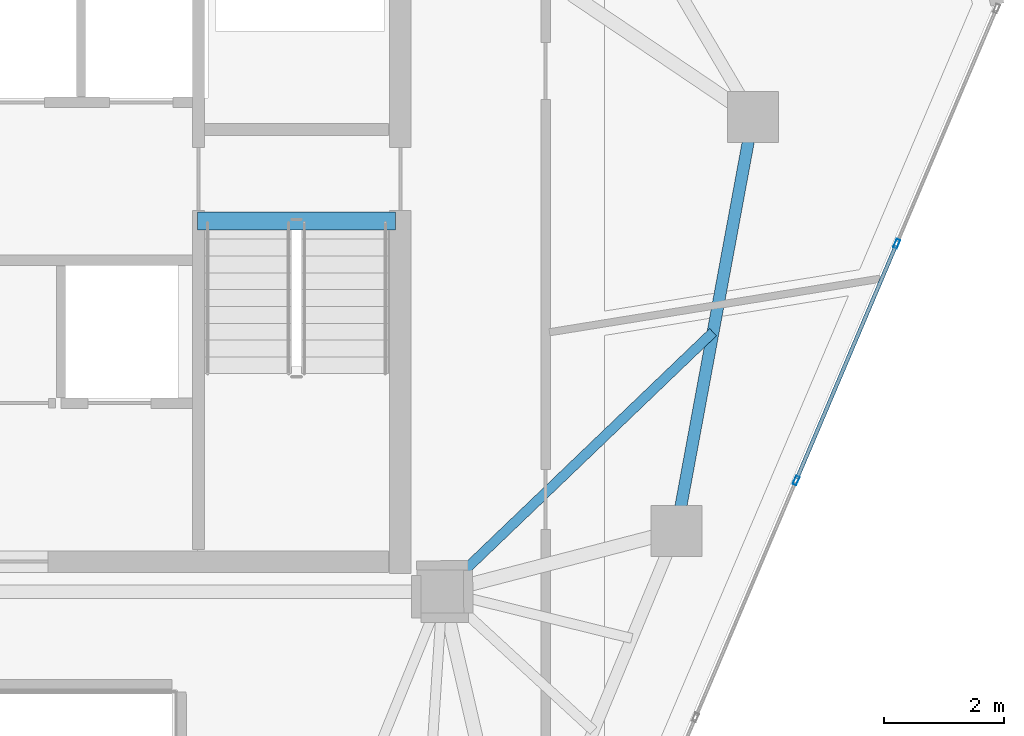
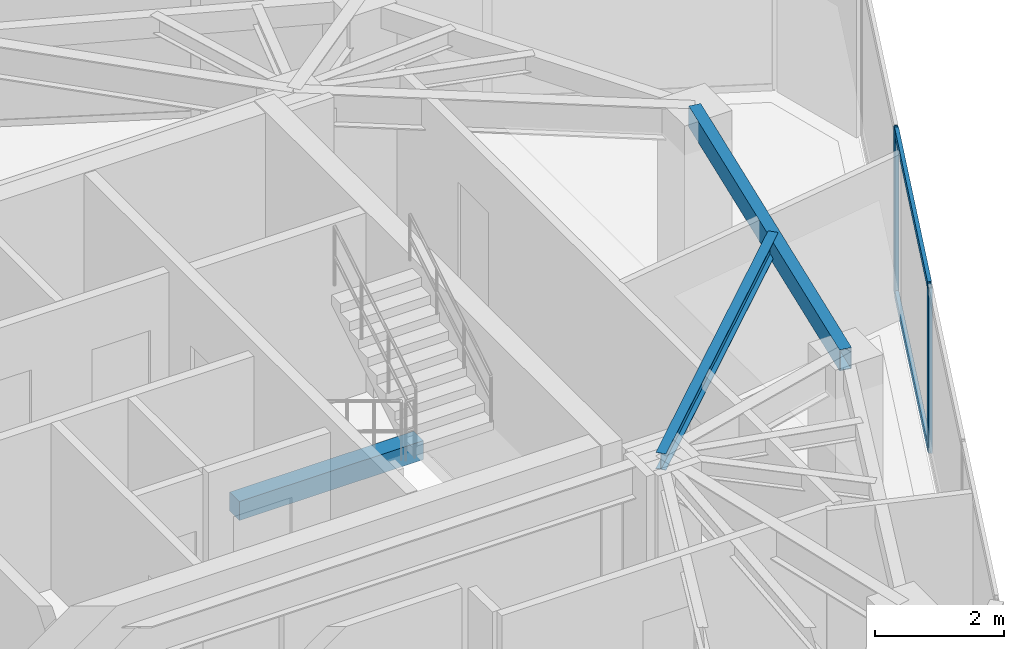
# One storey, part 12 of 20: 4 members, 3 beams, 1 element without a shape of its own.
"""IFC4 building model written with IfcOpenShell, lengths in metres."""

import ifcopenshell
import ifcopenshell.guid

model = None  # the IFC model being written
_history = None  # IfcOwnerHistory: only IFC2X3 demands one
_inside = {}  # id of a spatial element -> (the spatial element, [elements in it])
_under = {}  # id of a project, library or spatial element -> (it, [spatial elements below it])
_declared = {}  # id of a project -> (the project, [libraries it declares])
_typed = {}  # id of a type object -> (the type object, [elements of that type])
_made_of = {}  # id of a material, layer set ... -> (it, [elements and type objects made of it])


def new_model(schema):
    """Start an empty IFC model of exactly this schema.

    Asked for "IFC4X3", IfcOpenShell would pick the latest addendum, in which some entities
    have other attributes; the version numbers below select the first issue.
    IFC2X3 requires an IfcOwnerHistory on every rooted entity: one is made here for all.
    """
    global model, _history
    if schema == "IFC4X3":
        model = ifcopenshell.file(schema_version=(4, 3, 0, 0))
    else:
        model = ifcopenshell.file(schema=schema)
    _inside.clear()
    _under.clear()
    _declared.clear()
    _typed.clear()
    _made_of.clear()
    _history = None
    if model.schema == "IFC2X3":
        org = make("IfcOrganization", Name="unknown")
        user = make(
            "IfcPersonAndOrganization",
            ThePerson=make("IfcPerson", FamilyName="unknown"),
            TheOrganization=org,
        )
        app = make(
            "IfcApplication",
            ApplicationDeveloper=org,
            Version="unknown",
            ApplicationFullName="unknown",
            ApplicationIdentifier="unknown",
        )
        _history = make(
            "IfcOwnerHistory",
            OwningUser=user,
            OwningApplication=app,
            ChangeAction="ADDED",
            CreationDate=0,
        )
    return model


def make(cls, **values):
    """One entity of the class cls with the attributes given. An attribute that is None is left unset."""
    return model.create_entity(
        cls, **{name: value for name, value in values.items() if value is not None}
    )


def rooted(cls, **values):
    """An entity with a GlobalId (a new one), such as an element, a storey or a relation."""
    return make(cls, GlobalId=ifcopenshell.guid.new(), OwnerHistory=_history, **values)


def si_unit(unit_type, name, prefix=None):
    """IfcSIUnit, for example si_unit("LENGTHUNIT", "METRE", prefix="MILLI")."""
    return make("IfcSIUnit", UnitType=unit_type, Prefix=prefix, Name=name)


def assignment(units):
    """IfcUnitAssignment: the units of a project."""
    return None if units is None else make("IfcUnitAssignment", Units=units)


def point(xyz):
    """IfcCartesianPoint."""
    return None if xyz is None else make("IfcCartesianPoint", Coordinates=xyz)


def direction(xyz):
    """IfcDirection."""
    return None if xyz is None else make("IfcDirection", DirectionRatios=xyz)


def frame(location, z_axis=None, x_axis=None):
    """IfcAxis2Placement3D, a coordinate frame: its origin and axes. An axis left out is left unset."""
    return make(
        "IfcAxis2Placement3D",
        Location=point(location),
        Axis=direction(z_axis),
        RefDirection=direction(x_axis),
    )


def frame_2d(location, x_axis=None):
    """IfcAxis2Placement2D, a coordinate frame in the plane: its origin and x axis."""
    return make(
        "IfcAxis2Placement2D", Location=point(location), RefDirection=direction(x_axis)
    )


def origin():
    """The frame at (0, 0, 0) with its axes left unset."""
    return frame((0.0, 0.0, 0.0))


def origin_2d():
    """The frame at (0, 0) in the plane with its x axis left unset."""
    return frame_2d((0.0, 0.0))


def place(relative_to, where):
    """IfcLocalPlacement: puts the frame where relative to a parent placement (None: the world)."""
    return make(
        "IfcLocalPlacement", PlacementRelTo=relative_to, RelativePlacement=where
    )


def context(
    kind, dimensions, precision=None, world=None, true_north=None, identifier=None
):
    """IfcGeometricRepresentationContext, for example the 3D "Model" context."""
    return make(
        "IfcGeometricRepresentationContext",
        ContextIdentifier=identifier,
        ContextType=kind,
        CoordinateSpaceDimension=dimensions,
        Precision=precision,
        WorldCoordinateSystem=world,
        TrueNorth=true_north,
    )


def subcontext(parent, identifier, kind, view, scale=None):
    """IfcGeometricRepresentationSubContext, for example "Body" below "Model"."""
    return make(
        "IfcGeometricRepresentationSubContext",
        ContextIdentifier=identifier,
        ContextType=kind,
        ParentContext=parent,
        TargetScale=scale,
        TargetView=view,
    )


def project(units=None, contexts=None):
    """IfcProject with its units and contexts."""
    return rooted(
        "IfcProject",
        Name="project",
        RepresentationContexts=contexts,
        UnitsInContext=assignment(units),
    )


def spatial(cls, under=None, at=None, **own):
    """A site, building, storey or space (cls), placed at a placement, below another one or the project."""
    s = rooted(cls, ObjectPlacement=at, **own)
    if under is not None:
        _under.setdefault(under.id(), (under, []))[1].append(s)
    return s


def profile(cls, at=None, kind="AREA", **sizes):
    """A parametric profile (cls). Its sizes go by their IFC names, for example OverallWidth=200.0."""
    return make(cls, ProfileType=kind, Position=at, **sizes)


def rectangle(**sizes):
    """IfcRectangleProfileDef."""
    return profile("IfcRectangleProfileDef", **sizes)


def hollow_rectangle(**sizes):
    """IfcRectangleHollowProfileDef."""
    return profile("IfcRectangleHollowProfileDef", **sizes)


def i_section(**sizes):
    """IfcIShapeProfileDef."""
    return profile("IfcIShapeProfileDef", **sizes)


def extrude(swept, where, along, depth):
    """IfcExtrudedAreaSolid: the profile swept, set in the frame where, extruded along a direction by depth."""
    return make(
        "IfcExtrudedAreaSolid",
        SweptArea=swept,
        Position=where,
        ExtrudedDirection=direction(along),
        Depth=depth,
    )


def shape(context_of_items, identifier, shape_type, items):
    """IfcShapeRepresentation: the items that make up one representation, for example the "Body"."""
    return make(
        "IfcShapeRepresentation",
        ContextOfItems=context_of_items,
        RepresentationIdentifier=identifier,
        RepresentationType=shape_type,
        Items=items,
    )


def source(mapping_origin, context_of_items, identifier, shape_type, items):
    """IfcRepresentationMap: a shape defined once, which mapped items show again and again."""
    return make(
        "IfcRepresentationMap",
        MappingOrigin=mapping_origin,
        MappedRepresentation=shape(context_of_items, identifier, shape_type, items),
    )


def transform(
    local_origin,
    x_axis=None,
    y_axis=None,
    z_axis=None,
    scale=None,
    scale2=None,
    scale3=None,
    uniform=True,
):
    """IfcCartesianTransformationOperator3D, or its non-uniform kind. x_axis, y_axis, z_axis: its Axis1, 2, 3."""
    if uniform:
        return make(
            "IfcCartesianTransformationOperator3D",
            Axis1=direction(x_axis),
            Axis2=direction(y_axis),
            LocalOrigin=point(local_origin),
            Scale=scale,
            Axis3=direction(z_axis),
        )
    return make(
        "IfcCartesianTransformationOperator3DnonUniform",
        Axis1=direction(x_axis),
        Axis2=direction(y_axis),
        LocalOrigin=point(local_origin),
        Scale=scale,
        Axis3=direction(z_axis),
        Scale2=scale2,
        Scale3=scale3,
    )


def mapped(mapping_source, mapping_target):
    """IfcMappedItem: shows the shape of a source again, moved by a transform."""
    return make(
        "IfcMappedItem", MappingSource=mapping_source, MappingTarget=mapping_target
    )


def material(Name=None, Category=None):
    """IfcMaterial."""
    return make("IfcMaterial", Name=Name, Category=Category)


def layer(
    of_material, thickness, ventilated=None, Name=None, Category=None, Priority=None
):
    """IfcMaterialLayer: one layer of a wall or slab, of a material (None: an air gap)."""
    return make(
        "IfcMaterialLayer",
        Material=of_material,
        LayerThickness=thickness,
        IsVentilated=ventilated,
        Name=Name,
        Category=Category,
        Priority=Priority,
    )


def layer_set(layers, Name=None):
    """IfcMaterialLayerSet."""
    return make("IfcMaterialLayerSet", MaterialLayers=layers, LayerSetName=Name)


def material_profile(
    of_material, cross_section, Name=None, Category=None, Priority=None
):
    """IfcMaterialProfile: a cross section and its material."""
    return make(
        "IfcMaterialProfile",
        Name=Name,
        Material=of_material,
        Profile=cross_section,
        Priority=Priority,
        Category=Category,
    )


def profile_set(profiles, Name=None, composite=None):
    """IfcMaterialProfileSet."""
    return make(
        "IfcMaterialProfileSet",
        Name=Name,
        MaterialProfiles=profiles,
        CompositeProfile=composite,
    )


def made_of(thing, what):
    """Note that an element or type object is made of a material, layer set ...; save() writes the relation."""
    if what is not None:
        _made_of.setdefault(what.id(), (what, []))[1].append(thing)
    return thing


def type_object(cls, material=None, **own):
    """A type object (cls), such as IfcWallType, which elements share."""
    return made_of(rooted(cls, **own), material)


def type_shapes(of_type, sources):
    """Give a type object the sources (RepresentationMaps) that its elements show as mapped items."""
    of_type.RepresentationMaps = sources


def element(
    cls,
    number,
    at=None,
    inside=None,
    cuts=None,
    type_object=None,
    material=None,
    context=None,
    identifier="Body",
    shape_type=None,
    held_by="IfcProductDefinitionShape",
    body=None,
    shapes=None,
    **own,
):
    """One element of the class cls, such as IfcWall. Its Tag is "e" and its number.

    at: its placement. inside: the storey or other place that contains it. cuts: it is an
    opening in that element (IfcRelVoidsElement). A single representation is given by context,
    identifier, shape_type and body (its items); several are given by shapes. held_by: the class
    of the entity that holds the representations. save() writes the other relations.
    """
    e = rooted(cls, Tag="e%d" % number, ObjectPlacement=at, **own)
    if body is not None:
        shapes = [shape(context, identifier, shape_type, body)]
    if shapes is not None:
        e.Representation = make(held_by, Representations=shapes)
    if inside is not None:
        _inside.setdefault(inside.id(), (inside, []))[1].append(e)
    if cuts is not None:
        rooted(
            "IfcRelVoidsElement", RelatingBuildingElement=cuts, RelatedOpeningElement=e
        )
    if type_object is not None:
        _typed.setdefault(type_object.id(), (type_object, []))[1].append(e)
    return made_of(e, material)


def aggregate(whole, parts):
    """IfcRelAggregates: a whole, such as a stair, and the parts it consists of."""
    return rooted("IfcRelAggregates", RelatingObject=whole, RelatedObjects=parts)


def save(model, path):
    """Write the relations noted so far, then the file.

    IfcRelAggregates (storeys below a building ...), IfcRelContainedInSpatialStructure (elements
    in a storey), IfcRelDefinesByType, IfcRelAssociatesMaterial and IfcRelDeclares: one each for
    every whole, place, type object, material and project.
    """
    for whole, parts in _under.values():
        aggregate(whole, parts)
    for where, things in _inside.values():
        rooted(
            "IfcRelContainedInSpatialStructure",
            RelatedElements=things,
            RelatingStructure=where,
        )
    for kind, things in _typed.values():
        rooted("IfcRelDefinesByType", RelatedObjects=things, RelatingType=kind)
    for what, things in _made_of.values():
        rooted("IfcRelAssociatesMaterial", RelatedObjects=things, RelatingMaterial=what)
    for by, libraries in _declared.values():
        rooted("IfcRelDeclares", RelatingContext=by, RelatedDefinitions=libraries)
    model.write(path)


model = new_model("IFC4")

# Units and contexts
model_context = context("Model", 3, precision=1e-05, world=origin(), true_north=direction((0.0, 1.0)))
body_context = subcontext(model_context, "Body", "Model", "MODEL_VIEW")
ifc_project = project(units=[si_unit("LENGTHUNIT", "METRE"), si_unit("AREAUNIT", "SQUARE_METRE"), si_unit("VOLUMEUNIT", "CUBIC_METRE"), si_unit("PLANEANGLEUNIT", "RADIAN"), si_unit("MASSUNIT", "GRAM", prefix="KILO")], contexts=[model_context])

# Site, building, storey
site_placement = place(None, origin())
site = spatial("IfcSite", under=ifc_project, at=site_placement, CompositionType="ELEMENT")
building_placement = place(site_placement, origin())
building = spatial("IfcBuilding", under=site, at=building_placement, Name="Talar Marvaseh", CompositionType="ELEMENT")
storey_placement = place(building_placement, frame((0.0, 0.0, 274.800048828125)))
storey = spatial("IfcBuildingStorey", under=building, at=storey_placement, Name="L73", CompositionType="ELEMENT", Elevation=274.800048828125)

# Beams
ifc_material_1 = material(Name="Concrete C40/50", Category="concrete")
ifc_material_profile_1 = material_profile(ifc_material_1, rectangle(XDim=0.300048828125, YDim=0.360107421875, at=origin_2d()), Name="RC300x360")
ifc_profile_set_1 = profile_set([ifc_material_profile_1], Name="Concrete C40/50")
beam_type_1 = type_object("IfcBeamType", Name="Concrete Stair Landing Trimmer Beam RC300x360", PredefinedType="SPANDREL", material=ifc_profile_set_1)
beam_1_placement = place(storey_placement, frame((29.219970703125, 31.669921875, -0.179931640625), z_axis=(1.0, 0.0, 0.0), x_axis=(0.0, 1.0, 0.0)))
element("IfcBeam", 1, at=beam_1_placement, inside=storey, type_object=beam_type_1, Name="L73 ST-2 Stair Nosing Trimmer Beam", PredefinedType="SPANDREL", context=body_context, shape_type="SweptSolid", body=[
    extrude(rectangle(XDim=0.300048828125, YDim=0.360107421875, at=origin_2d()), origin(), (0.0, 0.0, 1.0), 3.300048828125),
])
ifc_material_2 = material(Name="Steel S355", Category="steel")
ifc_material_profile_2 = material_profile(ifc_material_2, hollow_rectangle(XDim=0.199951171875, YDim=0.39990234375, WallThickness=0.013916015625, at=origin_2d()), Name="RHS400x200x14")
ifc_profile_set_2 = profile_set([ifc_material_profile_2], Name="Steel S355")
beam_type_2 = type_object("IfcBeamType", Name="Zone 3 Perimeter Spandrel Beam RHS400x200x14", PredefinedType="SPANDREL", material=ifc_profile_set_2)
beam_2_placement = place(storey_placement, frame((38.470947265625, 33.406005859375, 2.93994140625), z_axis=(-0.181759950929, -0.983342931148, 0.0), x_axis=(0.983342931148, -0.181759950929, 0.0)))
element("IfcBeam", 2, at=beam_2_placement, inside=storey, type_object=beam_type_2, Name="L73 Zone 3 Perimeter Spandrel Beam RHS400x200x14", PredefinedType="SPANDREL", context=body_context, shape_type="SweptSolid", body=[
    extrude(hollow_rectangle(XDim=0.199951171875, YDim=0.39990234375, WallThickness=0.013916015625, at=origin_2d()), origin(), (0.0, 0.0, 1.0), 7.0087890625),
])
ifc_material_profile_3 = material_profile(ifc_material_2, i_section(OverallWidth=0.166015625, OverallDepth=0.31298828125, WebThickness=0.006591796875, FlangeThickness=0.01123046875, at=origin_2d()), Name="W310x45")
ifc_profile_set_3 = profile_set([ifc_material_profile_3], Name="Steel S355")
beam_type_3 = type_object("IfcBeamType", Name="Zone 3 Secondary Floor Joist W310x45", PredefinedType="JOIST", material=ifc_profile_set_3)
beam_3_placement = place(storey_placement, frame((37.80859375, 29.822265625, 2.9833984375), z_axis=(-0.721862081493, -0.692036946486, 0.0), x_axis=(0.692036946486, -0.721862081493, 0.0)))
element("IfcBeam", 3, at=beam_3_placement, inside=storey, type_object=beam_type_3, Name="L73 Zone 3 Secondary Floor Joist W310x45", PredefinedType="JOIST", context=body_context, shape_type="SweptSolid", body=[
    extrude(i_section(OverallWidth=0.166015625, OverallDepth=0.31298828125, WebThickness=0.006591796875, FlangeThickness=0.01123046875, at=origin_2d()), origin(), (0.0, 0.0, 1.0), 6.24560546875),
])

# Curtain wall, members
ifc_material_3 = material(Name="Architectural Aluminium", Category="aluminium")
ifc_layer = layer(ifc_material_3, 0.179931640625)
ifc_layer_set = layer_set([ifc_layer], Name="Architectural Aluminium")
curtain_wall_type = type_object("IfcCurtainWallType", Name="Unitised High-Wind Sky Curtain Wall Z4", PredefinedType="NOTDEFINED", material=ifc_layer_set)
curtain_wall_placement = place(storey_placement, origin())
curtain_wall = element("IfcCurtainWall", 4, at=curtain_wall_placement, inside=storey, type_object=curtain_wall_type, Name="L73 Unitised High-Wind Sky Curtain Wall Z4", PredefinedType="NOTDEFINED")
ifc_material_profile_4 = material_profile(ifc_material_3, hollow_rectangle(XDim=0.06494140625, YDim=0.14990234375, WallThickness=0.00390625, at=origin_2d()), Name="RHS150x65x4")
ifc_profile_set_4 = profile_set([ifc_material_profile_4], Name="Architectural Aluminium")
member_type_1 = type_object("IfcMemberType", Name="Unitised Curtain Wall Slim Mullion RHS150x65x4", PredefinedType="MULLION", material=ifc_profile_set_4)
shared_shape_1 = source(origin(), body_context, "Body", "SweptSolid", [
    extrude(hollow_rectangle(XDim=0.06494140625, YDim=0.14990234375, WallThickness=0.00390625, at=origin_2d()), origin(), (0.0, 0.0, 1.0), 3.139892578125),
])
type_shapes(member_type_1, [shared_shape_1])
member_1_placement = place(storey_placement, frame((40.866455078125, 31.296630859375, 0.0), z_axis=(0.0, 0.0, 1.0), x_axis=(0.920444783681, -0.39087261377, 0.0)))
member_1 = element("IfcMember", 5, at=member_1_placement, type_object=member_type_1, Name="CW-Z4 mullion 2", PredefinedType="MULLION", context=body_context, shape_type="MappedRepresentation", body=[
    mapped(shared_shape_1, transform((0.0, 0.0, 0.0), x_axis=(1.0, 0.0, 0.0), y_axis=(0.0, 1.0, 0.0), z_axis=(0.0, 0.0, 1.0), scale=1.0)),
])
member_2_placement = place(storey_placement, frame((39.191162109375, 27.351318359375, 0.0), z_axis=(0.0, 0.0, 1.0), x_axis=(0.920444783681, -0.39087261377, 0.0)))
member_2 = element("IfcMember", 6, at=member_2_placement, type_object=member_type_1, Name="CW-Z4 mullion 3", PredefinedType="MULLION", context=body_context, shape_type="MappedRepresentation", body=[
    mapped(shared_shape_1, transform((0.0, 0.0, 0.0), x_axis=(1.0, 0.0, 0.0), y_axis=(0.0, 1.0, 0.0), z_axis=(0.0, 0.0, 1.0), scale=1.0)),
])
ifc_material_profile_5 = material_profile(ifc_material_3, hollow_rectangle(XDim=0.06494140625, YDim=0.14990234375, WallThickness=0.00390625, at=origin_2d()), Name="RHS150x65x4")
ifc_profile_set_5 = profile_set([ifc_material_profile_5], Name="Architectural Aluminium")
member_type_2 = type_object("IfcMemberType", Name="Unitised Curtain Wall Slim Transom RHS150x65x4", PredefinedType="USERDEFINED", material=ifc_profile_set_5)
shared_shape_2 = source(origin(), body_context, "Body", "SweptSolid", [
    extrude(hollow_rectangle(XDim=0.06494140625, YDim=0.14990234375, WallThickness=0.00390625, at=origin_2d()), origin(), (0.0, 0.0, 1.0), 4.22119140625),
])
type_shapes(member_type_2, [shared_shape_2])
member_3_placement = place(storey_placement, frame((40.853759765625, 31.266845703125, 0.032470703125), z_axis=(-0.390852821108, -0.920453188507, 0.0), x_axis=(0.920453188507, -0.390852821108, 0.0)))
member_3 = element("IfcMember", 7, at=member_3_placement, type_object=member_type_2, Name="CW-Z4 transom 2.1", ObjectType="TRANSOM", PredefinedType="USERDEFINED", context=body_context, shape_type="MappedRepresentation", body=[
    mapped(shared_shape_2, transform((0.0, 0.0, 0.0), x_axis=(1.0, 0.0, 0.0), y_axis=(0.0, 1.0, 0.0), z_axis=(0.0, 0.0, 1.0), scale=1.0)),
])
member_4_placement = place(storey_placement, frame((40.853759765625, 31.266845703125, 3.107421875), z_axis=(-0.390852821108, -0.920453188507, 0.0), x_axis=(0.920453188507, -0.390852821108, 0.0)))
member_4 = element("IfcMember", 8, at=member_4_placement, type_object=member_type_2, Name="CW-Z4 transom 2.2", ObjectType="TRANSOM", PredefinedType="USERDEFINED", context=body_context, shape_type="MappedRepresentation", body=[
    mapped(shared_shape_2, transform((0.0, 0.0, 0.0), x_axis=(1.0, 0.0, 0.0), y_axis=(0.0, 1.0, 0.0), z_axis=(0.0, 0.0, 1.0), scale=1.0)),
])
aggregate(curtain_wall, [member_1, member_2, member_3, member_4])

save(model, "model.ifc")
